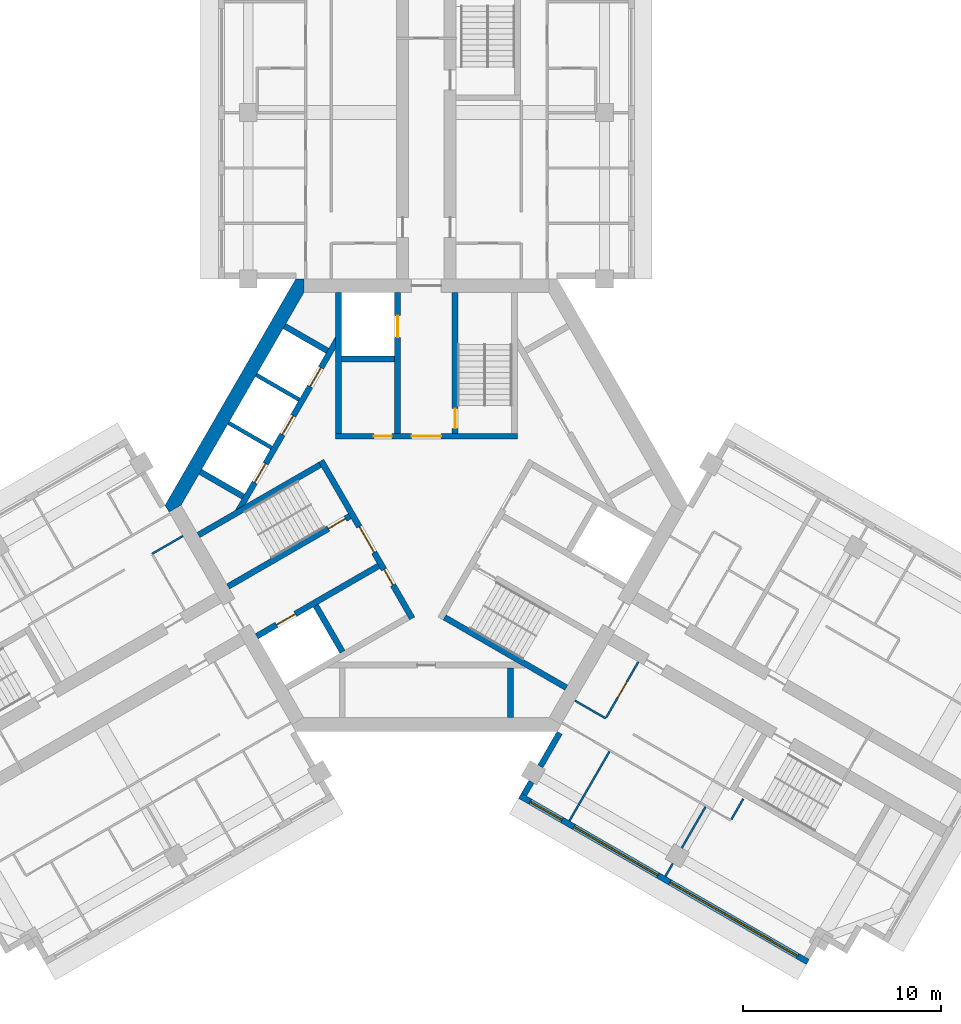
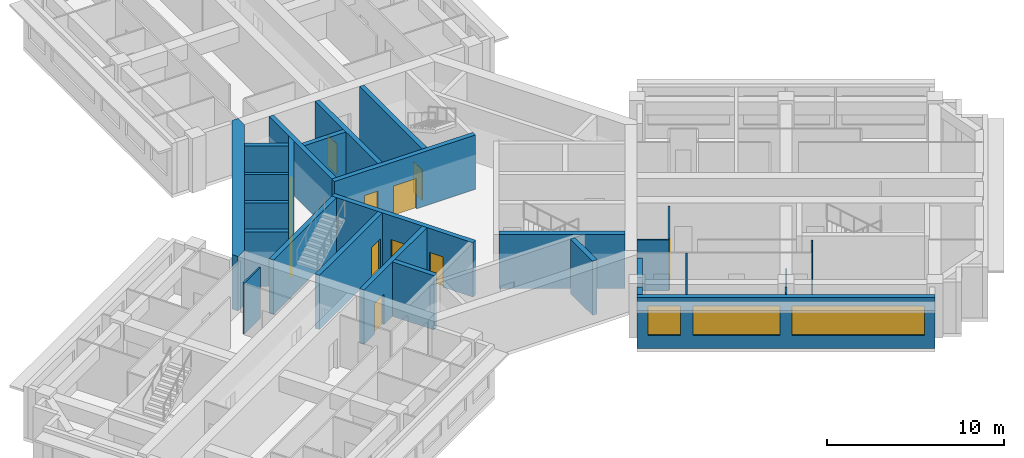
# One storey, part 4 of 10: 28 walls, 12 doors, 3 windows, 15 openings.
"""IFC4 building model written with IfcOpenShell, lengths in metres."""

from ifc_helpers import new_model, si_unit, direction, frame, frame_2d, origin, place, context, subcontext, project, spatial, polyline, rectangle, outline, extrude, material, layer, layer_set, type_object, element, fill, save


model = new_model("IFC4")

# Units and contexts
model_context = context("Model", 3, precision=1e-05, world=origin(), true_north=direction((0.0, 1.0)))
body_context = subcontext(model_context, "Body", "Model", "MODEL_VIEW")
ifc_project = project(units=[si_unit("LENGTHUNIT", "METRE"), si_unit("AREAUNIT", "SQUARE_METRE"), si_unit("VOLUMEUNIT", "CUBIC_METRE"), si_unit("PLANEANGLEUNIT", "RADIAN"), si_unit("MASSUNIT", "GRAM", prefix="KILO")], contexts=[model_context])

# Site, building, storey
site_placement = place(None, origin())
site = spatial("IfcSite", under=ifc_project, at=site_placement, CompositionType="ELEMENT")
building_placement = place(site_placement, origin())
building = spatial("IfcBuilding", under=site, at=building_placement, Name="Impinga Residences", CompositionType="ELEMENT")
storey_placement = place(building_placement, frame((0.0, 0.0, 263.5)))
storey = spatial("IfcBuildingStorey", under=building, at=storey_placement, Name="L66", CompositionType="ELEMENT", Elevation=263.5)

# Wall, openings, windows
ifc_material_1 = material(Name="Terracotta rainscreen on blockwork", Category="masonry")
ifc_layer_1 = layer(ifc_material_1, 0.300048828125)
ifc_layer_set_1 = layer_set([ifc_layer_1], Name="EW1 external wall, terracotta rainscreen on blockwork 300")
wall_type_1 = type_object("IfcWallType", Name="EW1 external wall, terracotta rainscreen on blockwork 300", PredefinedType="SOLIDWALL", material=ifc_layer_set_1)
wall_1_placement = place(storey_placement, frame((19.274169921875, -23.0791015625, 0.0), z_axis=(0.0, 0.0, 1.0), x_axis=(-0.86602562146, 0.499999622975, 0.0)))
wall_1 = element("IfcWall", 1, at=wall_1_placement, inside=storey, type_object=wall_type_1, Name="External wall EW1 L66", PredefinedType="SOLIDWALL", context=body_context, shape_type="SweptSolid", body=[
    extrude(rectangle(XDim=16.7998046875, YDim=0.300048828125, at=frame_2d((8.39990234375, 0.0))), origin(), (0.0, 0.0, 1.0), 3.530029296875),
])
opening_1_placement = place(wall_1_placement, frame((0.60009765625, 0.0, 0.89990234375)))
opening_1 = element("IfcOpeningElement", 2, at=opening_1_placement, cuts=wall_1, Name="Opening W7", PredefinedType="OPENING", context=body_context, shape_type="SweptSolid", body=[
    extrude(rectangle(XDim=7.449951171875, YDim=2.050048828125, at=frame_2d((3.72509765625, 1.02490234375))), frame((0.0, 0.159912109375, 0.0), z_axis=(0.0, -1.0, 0.0), x_axis=(1.0, 0.0, 0.0)), (0.0, 0.0, 1.0), 0.320068359375),
])
opening_2_placement = place(wall_1_placement, frame((8.75, 0.0, 0.89990234375)))
opening_2 = element("IfcOpeningElement", 3, at=opening_2_placement, cuts=wall_1, Name="Opening W16", PredefinedType="OPENING", context=body_context, shape_type="SweptSolid", body=[
    extrude(rectangle(XDim=4.89990234375, YDim=2.050048828125, at=frame_2d((2.449951171875, 1.02490234375))), frame((0.0, 0.159912109375, 0.0), z_axis=(0.0, -1.0, 0.0), x_axis=(1.0, 0.0, 0.0)), (0.0, 0.0, 1.0), 0.320068359375),
])
opening_3_placement = place(wall_1_placement, frame((14.35009765625, 0.0, 0.89990234375)))
opening_3 = element("IfcOpeningElement", 4, at=opening_3_placement, cuts=wall_1, Name="Opening W15", PredefinedType="OPENING", context=body_context, shape_type="SweptSolid", body=[
    extrude(rectangle(XDim=1.85009765625, YDim=2.050048828125, at=frame_2d((0.925048828125, 1.02490234375))), frame((0.0, 0.159912109375, 0.0), z_axis=(0.0, -1.0, 0.0), x_axis=(1.0, 0.0, 0.0)), (0.0, 0.0, 1.0), 0.320068359375),
])
ifc_material_2 = material(Name="Aluminium window, clear double glazing", Category="aluminium")
window_type_1 = type_object("IfcWindowType", Name="W15 ribbon window 1850x2050", PartitioningType="SINGLE_PANEL", PredefinedType="WINDOW", material=ifc_material_2)
window_1_placement = place(opening_3_placement, origin())
window_1 = element("IfcWindow", 5, at=window_1_placement, inside=storey, type_object=window_type_1, Name="Window L66", OverallHeight=2.050048828125, OverallWidth=1.85009765625, PartitioningType="SINGLE_PANEL", PredefinedType="WINDOW", context=body_context, shape_type="SweptSolid", body=[
    extrude(rectangle(XDim=1.85009765625, YDim=2.050048828125, at=frame_2d((0.925048828125, 1.02490234375))), frame((0.0, 0.030029296875, 0.0), z_axis=(0.0, -1.0, 0.0), x_axis=(1.0, 0.0, 0.0)), (0.0, 0.0, 1.0), 0.06005859375),
])
fill(opening_3, window_1)
window_type_2 = type_object("IfcWindowType", Name="W16 ribbon window 4900x2050", PartitioningType="SINGLE_PANEL", PredefinedType="WINDOW", material=ifc_material_2)
window_2_placement = place(opening_2_placement, origin())
window_2 = element("IfcWindow", 6, at=window_2_placement, inside=storey, type_object=window_type_2, Name="Window L66", OverallHeight=2.050048828125, OverallWidth=4.89990234375, PartitioningType="SINGLE_PANEL", PredefinedType="WINDOW", context=body_context, shape_type="SweptSolid", body=[
    extrude(rectangle(XDim=4.89990234375, YDim=2.050048828125, at=frame_2d((2.449951171875, 1.02490234375))), frame((0.0, 0.030029296875, 0.0), z_axis=(0.0, -1.0, 0.0), x_axis=(1.0, 0.0, 0.0)), (0.0, 0.0, 1.0), 0.06005859375),
])
fill(opening_2, window_2)
window_type_3 = type_object("IfcWindowType", Name="W7 ribbon window 7450x2050", PartitioningType="SINGLE_PANEL", PredefinedType="WINDOW", material=ifc_material_2)
window_3_placement = place(opening_1_placement, origin())
window_3 = element("IfcWindow", 7, at=window_3_placement, inside=storey, type_object=window_type_3, Name="Window L66", OverallHeight=2.050048828125, OverallWidth=7.449951171875, PartitioningType="SINGLE_PANEL", PredefinedType="WINDOW", context=body_context, shape_type="SweptSolid", body=[
    extrude(rectangle(XDim=7.449951171875, YDim=2.050048828125, at=frame_2d((3.72509765625, 1.02490234375))), frame((0.0, 0.030029296875, 0.0), z_axis=(0.0, -1.0, 0.0), x_axis=(1.0, 0.0, 0.0)), (0.0, 0.0, 1.0), 0.06005859375),
])
fill(opening_1, window_3)

# Walls
wall_2_placement = place(storey_placement, frame((4.929931640625, -14.624267578125, 0.0), z_axis=(0.0, 0.0, 1.0), x_axis=(0.499919672301, 0.866071776036, 0.0)))
element("IfcWall", 8, at=wall_2_placement, inside=storey, type_object=wall_type_1, Name="External wall EW1 L66", PredefinedType="SOLIDWALL", context=body_context, shape_type="SweptSolid", body=[
    extrude(rectangle(XDim=0.75, YDim=0.300048828125, at=frame_2d((0.375, 0.0))), origin(), (0.0, 0.0, 1.0), 3.530029296875),
])
wall_3_placement = place(storey_placement, frame((5.7548828125, -13.1953125, 0.0), z_axis=(0.0, 0.0, 1.0), x_axis=(0.500043961785, 0.866000020948, 0.0)))
element("IfcWall", 9, at=wall_3_placement, inside=storey, type_object=wall_type_1, Name="External wall EW1 L66", PredefinedType="SOLIDWALL", context=body_context, shape_type="SweptSolid", body=[
    extrude(rectangle(XDim=1.949951171875, YDim=0.300048828125, at=frame_2d((0.97509765625, 0.0))), origin(), (0.0, 0.0, 1.0), 3.530029296875),
])
ifc_material_3 = material(Name="Gypsum board on steel studs", Category="steel")
ifc_layer_2 = layer(ifc_material_3, 0.10009765625)
ifc_layer_set_2 = layer_set([ifc_layer_2], Name="Gypsum board on steel studs")
wall_type_2 = type_object("IfcWallType", Name="IP1 partition 100", PredefinedType="PARTITIONING", material=ifc_layer_set_2)
for number, where, z_axis, x_axis, name in (
    (10, (-12.300048828125, -1.558837890625, 0.0), (0.0, 0.0, 1.0), (-0.866047807691, -0.499961193289, 0.0), "Partition L66-WF1:DIV0"),
    (11, (7.5, -9.872802734375, 0.0), (0.0, 0.0, 1.0), (0.866047807691, -0.499961193289, 0.0), "Partition L66-EF1:DIV0"),
):
    element("IfcWall", number, at=place(storey_placement, frame(where, z_axis=z_axis, x_axis=x_axis)), inside=storey, type_object=wall_type_2, Name=name, PredefinedType="PARTITIONING", context=body_context, shape_type="SweptSolid", body=[
        extrude(rectangle(XDim=1.800048828125, YDim=0.10009765625, at=frame_2d((0.89990234375, 0.0))), origin(), (0.0, 0.0, 1.0), 3.530029296875),
    ])
wall_4_placement = place(storey_placement, frame((16.00537109375, -14.841064453125, 0.0), z_axis=(0.0, 0.0, 1.0), x_axis=(-0.50012165622, -0.865955154139, 0.0)))
element("IfcWall", 12, at=wall_4_placement, inside=storey, type_object=wall_type_2, Name="Partition L66-EF1:SE1", PredefinedType="PARTITIONING", context=body_context, shape_type="SweptSolid", body=[
    extrude(rectangle(XDim=1.199951171875, YDim=0.10009765625, at=frame_2d((0.60009765625, 0.0))), origin(), (0.0, 0.0, 1.0), 3.530029296875),
])

# Wall, opening, door
wall_5_placement = place(storey_placement, frame((10.708740234375, -7.914794921875, 0.0), z_axis=(0.0, 0.0, 1.0), x_axis=(-0.499984717929, -0.866034226713, 0.0)))
wall_5 = element("IfcWall", 13, at=wall_5_placement, inside=storey, type_object=wall_type_2, Name="Partition L66-EF1:IB1", PredefinedType="PARTITIONING", context=body_context, shape_type="SweptSolid", body=[
    extrude(rectangle(XDim=3.25, YDim=0.10009765625, at=frame_2d((1.625, 0.0))), origin(), (0.0, 0.0, 1.0), 3.530029296875),
])
opening_4_placement = place(wall_5_placement, frame((1.175048828125, 0.0, 0.0)))
opening_4 = element("IfcOpeningElement", 14, at=opening_4_placement, cuts=wall_5, Name="Opening D2", PredefinedType="OPENING", context=body_context, shape_type="SweptSolid", body=[
    extrude(rectangle(XDim=0.89990234375, YDim=2.10009765625, at=frame_2d((0.449951171875, 1.050048828125))), frame((0.0, 0.06005859375, 0.0), z_axis=(0.0, -1.0, 0.0), x_axis=(1.0, 0.0, 0.0)), (0.0, 0.0, 1.0), 0.1201171875),
])
ifc_material_4 = material(Name="Timber door set", Category="wood")
door_type_1 = type_object("IfcDoorType", Name="D2 internal door 900x2100", OperationType="SINGLE_SWING_LEFT", PredefinedType="DOOR", material=ifc_material_4)
door_1_placement = place(opening_4_placement, origin())
door_1 = element("IfcDoor", 15, at=door_1_placement, inside=storey, type_object=door_type_1, Name="Apartment L66-EF1 bathroom door", OperationType="SINGLE_SWING_LEFT", OverallHeight=2.10009765625, OverallWidth=0.89990234375, PredefinedType="DOOR", context=body_context, shape_type="SweptSolid", body=[
    extrude(rectangle(XDim=0.89990234375, YDim=2.10009765625, at=frame_2d((0.449951171875, 1.050048828125))), frame((0.0, 0.02490234375, 0.0), z_axis=(0.0, -1.0, 0.0), x_axis=(1.0, 0.0, 0.0)), (0.0, 0.0, 1.0), 0.050048828125),
])
fill(opening_4, door_1)

# Walls
wall_6_placement = place(storey_placement, frame((9.249755859375, -12.44189453125, 0.0), z_axis=(0.0, 0.0, 1.0), x_axis=(-0.499990325971, -0.866030989016, 0.0)))
element("IfcWall", 16, at=wall_6_placement, inside=storey, type_object=wall_type_2, Name="Partition L66-EF1:OB1", PredefinedType="PARTITIONING", context=body_context, shape_type="SweptSolid", body=[
    extrude(rectangle(XDim=4.0498046875, YDim=0.10009765625, at=frame_2d((2.02490234375, 0.0))), origin(), (0.0, 0.0, 1.0), 3.530029296875),
])
wall_7_placement = place(storey_placement, frame((14.099609375, -15.241943359375, 0.0), z_axis=(0.0, 0.0, 1.0), x_axis=(-0.500001309137, -0.866024647952, 0.0)))
element("IfcWall", 17, at=wall_7_placement, inside=storey, type_object=wall_type_2, Name="Partition L66-EF1:OB2", PredefinedType="PARTITIONING", context=body_context, shape_type="SweptSolid", body=[
    extrude(rectangle(XDim=2.39990234375, YDim=0.10009765625, at=frame_2d((1.199951171875, 0.0))), origin(), (0.0, 0.0, 1.0), 2.47998046875),
])
wall_8_placement = place(storey_placement, frame((12.44970703125, -18.099609375, 0.0), z_axis=(0.0, 0.0, 1.0), x_axis=(-0.499919672301, -0.866071776036, 0.0)))
element("IfcWall", 18, at=wall_8_placement, inside=storey, type_object=wall_type_2, Name="Partition L66-EF1:OB2b", PredefinedType="PARTITIONING", context=body_context, shape_type="SweptSolid", body=[
    extrude(rectangle(XDim=0.75, YDim=0.10009765625, at=frame_2d((0.375, 0.0))), origin(), (0.0, 0.0, 1.0), 3.530029296875),
])
ifc_material_5 = material(Name="Concrete C60/75", Category="concrete")
ifc_layer_3 = layer(ifc_material_5, 0.699951171875)
ifc_layer_set_3 = layer_set([ifc_layer_3], Name="Concrete C60/75")
wall_type_3 = type_object("IfcWallType", Name="SW3 core wall 700", PredefinedType="SHEAR", material=ifc_layer_set_3)
wall_9_placement = place(storey_placement, origin())
element("IfcWall", 19, at=wall_9_placement, inside=storey, type_object=wall_type_3, Name="Core wall SW3 E:EXPOSED L66", PredefinedType="SHEAR", context=body_context, shape_type="SweptSolid", body=[
    extrude(outline(polyline([(-6.60009765625, 11.431640625), (-13.199951171875, 0.0), (-12.998046875, -0.35009765625), (-12.3916015625, 0.0), (-6.19580078125, 10.7314453125), (-6.19580078125, 11.431640625), (-6.60009765625, 11.431640625)])), origin(), (0.0, 0.0, 1.0), 3.75),
])

# Wall, openings, doors
ifc_material_6 = material(Name="Concrete C70/85", Category="concrete")
ifc_layer_4 = layer(ifc_material_6, 0.300048828125)
ifc_layer_set_4 = layer_set([ifc_layer_4], Name="Concrete C70/85")
wall_type_4 = type_object("IfcWallType", Name="SW5 core inner wall, stairs, shafts and lobbies 300", PredefinedType="SHEAR", material=ifc_layer_set_4)
wall_10_placement = place(storey_placement, frame((-4.60009765625, 3.47998046875, 0.0), z_axis=(0.0, 0.0, 1.0), x_axis=(1.0, 0.0, 0.0)))
wall_10 = element("IfcWall", 20, at=wall_10_placement, inside=storey, type_object=wall_type_4, Name="Core wall SW5 N:ZONE L66", PredefinedType="SHEAR", context=body_context, shape_type="SweptSolid", body=[
    extrude(rectangle(XDim=9.2001953125, YDim=0.300048828125, at=frame_2d((4.60009765625, 0.0))), origin(), (0.0, 0.0, 1.0), 3.75),
])
opening_5_placement = place(wall_10_placement, frame((3.85009765625, 0.0, 0.0)))
opening_5 = element("IfcOpeningElement", 21, at=opening_5_placement, cuts=wall_10, Name="Opening D4", PredefinedType="OPENING", context=body_context, shape_type="SweptSolid", body=[
    extrude(rectangle(XDim=1.5, YDim=2.10009765625, at=frame_2d((0.75, 1.050048828125))), frame((0.0, 0.159912109375, 0.0), z_axis=(0.0, -1.0, 0.0), x_axis=(1.0, 0.0, 0.0)), (0.0, 0.0, 1.0), 0.320068359375),
])
opening_6_placement = place(wall_10_placement, frame((1.949951171875, 0.0, 0.0)))
opening_6 = element("IfcOpeningElement", 22, at=opening_6_placement, cuts=wall_10, Name="Opening D6", PredefinedType="OPENING", context=body_context, shape_type="SweptSolid", body=[
    extrude(rectangle(XDim=0.89990234375, YDim=2.10009765625, at=frame_2d((0.449951171875, 1.050048828125))), frame((0.0, 0.159912109375, 0.0), z_axis=(0.0, -1.0, 0.0), x_axis=(1.0, 0.0, 0.0)), (0.0, 0.0, 1.0), 0.320068359375),
])
door_type_2 = type_object("IfcDoorType", Name="D4 lobby door pair 1500x2100", OperationType="DOUBLE_DOOR_DOUBLE_SWING", PredefinedType="DOOR", material=ifc_material_4)
door_2_placement = place(opening_5_placement, origin())
door_2 = element("IfcDoor", 23, at=door_2_placement, inside=storey, type_object=door_type_2, Name="Firefighting lobby door N", OperationType="DOUBLE_DOOR_DOUBLE_SWING", OverallHeight=2.10009765625, OverallWidth=1.5, PredefinedType="DOOR", context=body_context, shape_type="SweptSolid", body=[
    extrude(rectangle(XDim=1.5, YDim=2.10009765625, at=frame_2d((0.75, 1.050048828125))), frame((0.0, 0.02490234375, 0.0), z_axis=(0.0, -1.0, 0.0), x_axis=(1.0, 0.0, 0.0)), (0.0, 0.0, 1.0), 0.050048828125),
])
fill(opening_5, door_2)
door_type_3 = type_object("IfcDoorType", Name="D6 riser and store door 900x2100", OperationType="SINGLE_SWING_LEFT", PredefinedType="DOOR", material=ifc_material_4)
door_3_placement = place(opening_6_placement, origin())
door_3 = element("IfcDoor", 24, at=door_3_placement, inside=storey, type_object=door_type_3, Name="Riser door N", OperationType="SINGLE_SWING_LEFT", OverallHeight=2.10009765625, OverallWidth=0.89990234375, PredefinedType="DOOR", context=body_context, shape_type="SweptSolid", body=[
    extrude(rectangle(XDim=0.89990234375, YDim=2.10009765625, at=frame_2d((0.449951171875, 1.050048828125))), frame((0.0, 0.02490234375, 0.0), z_axis=(0.0, -1.0, 0.0), x_axis=(1.0, 0.0, 0.0)), (0.0, 0.0, 1.0), 0.050048828125),
])
fill(opening_6, door_3)

# Wall, opening, door
wall_11_placement = place(storey_placement, frame((1.449951171875, 3.6298828125, 0.0), z_axis=(0.0, 0.0, 1.0), x_axis=(0.0, 1.0, 0.0)))
wall_11 = element("IfcWall", 25, at=wall_11_placement, inside=storey, type_object=wall_type_4, Name="Core wall SW5 N:ST-IN L66", PredefinedType="SHEAR", context=body_context, shape_type="SweptSolid", body=[
    extrude(rectangle(XDim=7.1015625, YDim=0.300048828125, at=frame_2d((3.55078125, 0.0))), origin(), (0.0, 0.0, 1.0), 3.75),
])
opening_7_placement = place(wall_11_placement, frame((0.25, 0.0, 0.0)))
opening_7 = element("IfcOpeningElement", 26, at=opening_7_placement, cuts=wall_11, Name="Opening D5", PredefinedType="OPENING", context=body_context, shape_type="SweptSolid", body=[
    extrude(rectangle(XDim=1.0, YDim=2.10009765625, at=frame_2d((0.5, 1.050048828125))), frame((0.0, 0.159912109375, 0.0), z_axis=(0.0, -1.0, 0.0), x_axis=(1.0, 0.0, 0.0)), (0.0, 0.0, 1.0), 0.320068359375),
])
door_type_4 = type_object("IfcDoorType", Name="D5 stair door 1000x2100", OperationType="SINGLE_SWING_LEFT", PredefinedType="DOOR", material=ifc_material_4)
door_4_placement = place(opening_7_placement, origin())
door_4 = element("IfcDoor", 27, at=door_4_placement, inside=storey, type_object=door_type_4, Name="Stair door N", OperationType="SINGLE_SWING_LEFT", OverallHeight=2.10009765625, OverallWidth=1.0, PredefinedType="DOOR", context=body_context, shape_type="SweptSolid", body=[
    extrude(rectangle(XDim=1.0, YDim=2.10009765625, at=frame_2d((0.5, 1.050048828125))), frame((0.0, 0.02490234375, 0.0), z_axis=(0.0, -1.0, 0.0), x_axis=(1.0, 0.0, 0.0)), (0.0, 0.0, 1.0), 0.050048828125),
])
fill(opening_7, door_4)

wall_12_placement = place(storey_placement, frame((-1.449951171875, 3.6298828125, 0.0), z_axis=(0.0, 0.0, 1.0), x_axis=(0.0, 1.0, 0.0)))
wall_12 = element("IfcWall", 28, at=wall_12_placement, inside=storey, type_object=wall_type_4, Name="Core wall SW5 N:FF-IN L66", PredefinedType="SHEAR", context=body_context, shape_type="SweptSolid", body=[
    extrude(rectangle(XDim=7.1015625, YDim=0.300048828125, at=frame_2d((3.55078125, 0.0))), origin(), (0.0, 0.0, 1.0), 3.75),
])
opening_8_placement = place(wall_12_placement, frame((4.85009765625, 0.0, 0.0)))
opening_8 = element("IfcOpeningElement", 29, at=opening_8_placement, cuts=wall_12, Name="Opening LD2", PredefinedType="OPENING", context=body_context, shape_type="SweptSolid", body=[
    extrude(rectangle(XDim=1.10009765625, YDim=2.10009765625, at=frame_2d((0.550048828125, 1.050048828125))), frame((0.0, 0.159912109375, 0.0), z_axis=(0.0, -1.0, 0.0), x_axis=(1.0, 0.0, 0.0)), (0.0, 0.0, 1.0), 0.320068359375),
])
ifc_material_7 = material(Name="Steel lift landing door", Category="steel")
door_type_5 = type_object("IfcDoorType", Name="LD2 firefighting lift landing door 1100x2100", OperationType="DOUBLE_DOOR_SLIDING", PredefinedType="DOOR", material=ifc_material_7)
door_5_placement = place(opening_8_placement, origin())
door_5 = element("IfcDoor", 30, at=door_5_placement, inside=storey, type_object=door_type_5, Name="Firefighting lift landing door F1", OperationType="DOUBLE_DOOR_SLIDING", OverallHeight=2.10009765625, OverallWidth=1.10009765625, PredefinedType="DOOR", context=body_context, shape_type="SweptSolid", body=[
    extrude(rectangle(XDim=1.10009765625, YDim=2.10009765625, at=frame_2d((0.550048828125, 1.050048828125))), frame((0.0, 0.02490234375, 0.0), z_axis=(0.0, -1.0, 0.0), x_axis=(1.0, 0.0, 0.0)), (0.0, 0.0, 1.0), 0.050048828125),
])
fill(opening_8, door_5)

# Walls
wall_13_placement = place(storey_placement, frame((-4.449951171875, 3.6298828125, 0.0), z_axis=(0.0, 0.0, 1.0), x_axis=(0.0, 1.0, 0.0)))
element("IfcWall", 31, at=wall_13_placement, inside=storey, type_object=wall_type_4, Name="Core wall SW5 N:FF-OUT L66", PredefinedType="SHEAR", context=body_context, shape_type="SweptSolid", body=[
    extrude(rectangle(XDim=7.1015625, YDim=0.300048828125, at=frame_2d((3.55078125, 0.0))), origin(), (0.0, 0.0, 1.0), 3.75),
])
wall_14_placement = place(storey_placement, frame((-4.300048828125, 7.3798828125, 0.0), z_axis=(0.0, 0.0, 1.0), x_axis=(1.0, 0.0, 0.0)))
element("IfcWall", 32, at=wall_14_placement, inside=storey, type_object=wall_type_4, Name="Core wall SW5 N:FF-RS L66", PredefinedType="SHEAR", context=body_context, shape_type="SweptSolid", body=[
    extrude(rectangle(XDim=2.699951171875, YDim=0.300048828125, at=frame_2d((1.35009765625, 0.0))), origin(), (0.0, 0.0, 1.0), 3.75),
])

# Wall, openings, doors
wall_15_placement = place(storey_placement, frame((-0.7138671875, -5.7236328125, 0.0), z_axis=(0.0, 0.0, 1.0), x_axis=(-0.499995050369, 0.866028261437, 0.0)))
wall_15 = element("IfcWall", 33, at=wall_15_placement, inside=storey, type_object=wall_type_4, Name="Core wall SW5 W:ZONE L66", PredefinedType="SHEAR", context=body_context, shape_type="SweptSolid", body=[
    extrude(rectangle(XDim=9.19970703125, YDim=0.300048828125, at=frame_2d((4.599853515625, 0.0))), origin(), (0.0, 0.0, 1.0), 3.75),
])
opening_9_placement = place(wall_15_placement, frame((3.85009765625, 0.0, 0.0)))
opening_9 = element("IfcOpeningElement", 34, at=opening_9_placement, cuts=wall_15, Name="Opening D4", PredefinedType="OPENING", context=body_context, shape_type="SweptSolid", body=[
    extrude(rectangle(XDim=1.5, YDim=2.10009765625, at=frame_2d((0.75, 1.050048828125))), frame((0.0, 0.159912109375, 0.0), z_axis=(0.0, -1.0, 0.0), x_axis=(1.0, 0.0, 0.0)), (0.0, 0.0, 1.0), 0.320068359375),
])
opening_10_placement = place(wall_15_placement, frame((1.949951171875, 0.0, 0.0)))
opening_10 = element("IfcOpeningElement", 35, at=opening_10_placement, cuts=wall_15, Name="Opening D6", PredefinedType="OPENING", context=body_context, shape_type="SweptSolid", body=[
    extrude(rectangle(XDim=0.89990234375, YDim=2.10009765625, at=frame_2d((0.449951171875, 1.050048828125))), frame((0.0, 0.159912109375, 0.0), z_axis=(0.0, -1.0, 0.0), x_axis=(1.0, 0.0, 0.0)), (0.0, 0.0, 1.0), 0.320068359375),
])
door_6_placement = place(opening_9_placement, origin())
door_6 = element("IfcDoor", 36, at=door_6_placement, inside=storey, type_object=door_type_2, Name="Firefighting lobby door W", OperationType="DOUBLE_DOOR_DOUBLE_SWING", OverallHeight=2.10009765625, OverallWidth=1.5, PredefinedType="DOOR", context=body_context, shape_type="SweptSolid", body=[
    extrude(rectangle(XDim=1.5, YDim=2.10009765625, at=frame_2d((0.75, 1.050048828125))), frame((0.0, 0.02490234375, 0.0), z_axis=(0.0, -1.0, 0.0), x_axis=(1.0, 0.0, 0.0)), (0.0, 0.0, 1.0), 0.050048828125),
])
fill(opening_9, door_6)
door_7_placement = place(opening_10_placement, origin())
door_7 = element("IfcDoor", 37, at=door_7_placement, inside=storey, type_object=door_type_3, Name="Riser door W", OperationType="SINGLE_SWING_LEFT", OverallHeight=2.10009765625, OverallWidth=0.89990234375, PredefinedType="DOOR", context=body_context, shape_type="SweptSolid", body=[
    extrude(rectangle(XDim=0.89990234375, YDim=2.10009765625, at=frame_2d((0.449951171875, 1.050048828125))), frame((0.0, 0.02490234375, 0.0), z_axis=(0.0, -1.0, 0.0), x_axis=(1.0, 0.0, 0.0)), (0.0, 0.0, 1.0), 0.050048828125),
])
fill(opening_10, door_7)

# Wall, opening, door
wall_16_placement = place(storey_placement, frame((-3.86865234375, -0.559326171875, 0.0), z_axis=(0.0, 0.0, 1.0), x_axis=(-0.866025859768, -0.499999210213, 0.0)))
wall_16 = element("IfcWall", 38, at=wall_16_placement, inside=storey, type_object=wall_type_4, Name="Core wall SW5 W:ST-IN L66", PredefinedType="SHEAR", context=body_context, shape_type="SweptSolid", body=[
    extrude(rectangle(XDim=7.1015625, YDim=0.300048828125, at=frame_2d((3.55078125, 0.0))), origin(), (0.0, 0.0, 1.0), 3.75),
])
opening_11_placement = place(wall_16_placement, frame((0.25, 0.0, 0.0)))
opening_11 = element("IfcOpeningElement", 39, at=opening_11_placement, cuts=wall_16, Name="Opening D5", PredefinedType="OPENING", context=body_context, shape_type="SweptSolid", body=[
    extrude(rectangle(XDim=1.0, YDim=2.10009765625, at=frame_2d((0.5, 1.050048828125))), frame((0.0, 0.159912109375, 0.0), z_axis=(0.0, -1.0, 0.0), x_axis=(1.0, 0.0, 0.0)), (0.0, 0.0, 1.0), 0.320068359375),
])
door_8_placement = place(opening_11_placement, origin())
door_8 = element("IfcDoor", 40, at=door_8_placement, inside=storey, type_object=door_type_4, Name="Stair door W", OperationType="SINGLE_SWING_LEFT", OverallHeight=2.10009765625, OverallWidth=1.0, PredefinedType="DOOR", context=body_context, shape_type="SweptSolid", body=[
    extrude(rectangle(XDim=1.0, YDim=2.10009765625, at=frame_2d((0.5, 1.050048828125))), frame((0.0, 0.02490234375, 0.0), z_axis=(0.0, -1.0, 0.0), x_axis=(1.0, 0.0, 0.0)), (0.0, 0.0, 1.0), 0.050048828125),
])
fill(opening_11, door_8)

# Wall
wall_17_placement = place(storey_placement, frame((-5.36865234375, 2.038818359375, 0.0), z_axis=(0.0, 0.0, 1.0), x_axis=(-0.866025859768, -0.499999210213, 0.0)))
element("IfcWall", 41, at=wall_17_placement, inside=storey, type_object=wall_type_4, Name="Core wall SW5 W:ST-OUT L66", PredefinedType="SHEAR", context=body_context, shape_type="SweptSolid", body=[
    extrude(rectangle(XDim=7.1015625, YDim=0.300048828125, at=frame_2d((3.55078125, 0.0))), origin(), (0.0, 0.0, 1.0), 3.75),
])

# Wall, opening, door
wall_18_placement = place(storey_placement, frame((-2.418701171875, -3.07080078125, 0.0), z_axis=(0.0, 0.0, 1.0), x_axis=(-0.866025859768, -0.499999210213, 0.0)))
wall_18 = element("IfcWall", 42, at=wall_18_placement, inside=storey, type_object=wall_type_4, Name="Core wall SW5 W:FF-IN L66", PredefinedType="SHEAR", context=body_context, shape_type="SweptSolid", body=[
    extrude(rectangle(XDim=7.1015625, YDim=0.300048828125, at=frame_2d((3.55078125, 0.0))), origin(), (0.0, 0.0, 1.0), 3.75),
])
opening_12_placement = place(wall_18_placement, frame((4.85009765625, 0.0, 0.0)))
opening_12 = element("IfcOpeningElement", 43, at=opening_12_placement, cuts=wall_18, Name="Opening LD2", PredefinedType="OPENING", context=body_context, shape_type="SweptSolid", body=[
    extrude(rectangle(XDim=1.10009765625, YDim=2.10009765625, at=frame_2d((0.550048828125, 1.050048828125))), frame((0.0, 0.159912109375, 0.0), z_axis=(0.0, -1.0, 0.0), x_axis=(1.0, 0.0, 0.0)), (0.0, 0.0, 1.0), 0.320068359375),
])
door_9_placement = place(opening_12_placement, origin())
door_9 = element("IfcDoor", 44, at=door_9_placement, inside=storey, type_object=door_type_5, Name="Firefighting lift landing door F2", OperationType="DOUBLE_DOOR_SLIDING", OverallHeight=2.10009765625, OverallWidth=1.10009765625, PredefinedType="DOOR", context=body_context, shape_type="SweptSolid", body=[
    extrude(rectangle(XDim=1.10009765625, YDim=2.10009765625, at=frame_2d((0.550048828125, 1.050048828125))), frame((0.0, 0.02490234375, 0.0), z_axis=(0.0, -1.0, 0.0), x_axis=(1.0, 0.0, 0.0)), (0.0, 0.0, 1.0), 0.050048828125),
])
fill(opening_12, door_9)

# Walls
wall_19_placement = place(storey_placement, frame((-4.2412109375, -7.413818359375, 0.0), z_axis=(0.0, 0.0, 1.0), x_axis=(-0.500048589285, 0.86599734893, 0.0)))
element("IfcWall", 45, at=wall_19_placement, inside=storey, type_object=wall_type_4, Name="Core wall SW5 W:FF-RS L66", PredefinedType="SHEAR", context=body_context, shape_type="SweptSolid", body=[
    extrude(rectangle(XDim=2.699951171875, YDim=0.300048828125, at=frame_2d((1.35009765625, 0.0))), origin(), (0.0, 0.0, 1.0), 3.75),
])
wall_20_placement = place(storey_placement, frame((0.918701171875, -5.668701171875, 0.0), z_axis=(0.0, 0.0, 1.0), x_axis=(0.866025859768, -0.499999210213, 0.0)))
element("IfcWall", 46, at=wall_20_placement, inside=storey, type_object=wall_type_4, Name="Core wall SW5 E:ST-OUT L66", PredefinedType="SHEAR", context=body_context, shape_type="SweptSolid", body=[
    extrude(rectangle(XDim=7.1015625, YDim=0.300048828125, at=frame_2d((3.55078125, 0.0))), origin(), (0.0, 0.0, 1.0), 3.75),
])
wall_21_placement = place(storey_placement, frame((4.25, -8.2314453125, 0.0), z_axis=(0.0, 0.0, 1.0), x_axis=(0.0, -1.0, 0.0)))
element("IfcWall", 47, at=wall_21_placement, inside=storey, type_object=wall_type_4, Name="Core wall SW5 N:BANK-L L66", PredefinedType="SHEAR", context=body_context, shape_type="SweptSolid", body=[
    extrude(rectangle(XDim=2.5, YDim=0.300048828125, at=frame_2d((1.25, 0.0))), origin(), (0.0, 0.0, 1.0), 3.75),
])

# Wall, openings, doors
wall_22_placement = place(storey_placement, frame((-9.547607421875, -0.3740234375, 0.0), z_axis=(0.0, 0.0, 1.0), x_axis=(0.500002290144, 0.866024081565, 0.0)))
wall_22 = element("IfcWall", 48, at=wall_22_placement, inside=storey, type_object=wall_type_4, Name="Core wall SW5 E:BANK-FRONT L66", PredefinedType="SHEAR", context=body_context, shape_type="SweptSolid", body=[
    extrude(rectangle(XDim=10.1953125, YDim=0.300048828125, at=frame_2d((5.09765625, 0.0))), origin(), (0.0, 0.0, 1.0), 3.75),
])
opening_13_placement = place(wall_22_placement, frame((1.74755859375, 0.0, 0.0)))
opening_13 = element("IfcOpeningElement", 49, at=opening_13_placement, cuts=wall_22, Name="Opening LD1", PredefinedType="OPENING", context=body_context, shape_type="SweptSolid", body=[
    extrude(rectangle(XDim=1.10009765625, YDim=2.10009765625, at=frame_2d((0.550048828125, 1.050048828125))), frame((0.0, 0.159912109375, 0.0), z_axis=(0.0, -1.0, 0.0), x_axis=(1.0, 0.0, 0.0)), (0.0, 0.0, 1.0), 0.320068359375),
])
opening_14_placement = place(wall_22_placement, frame((4.547607421875, 0.0, 0.0)))
opening_14 = element("IfcOpeningElement", 50, at=opening_14_placement, cuts=wall_22, Name="Opening LD1", PredefinedType="OPENING", context=body_context, shape_type="SweptSolid", body=[
    extrude(rectangle(XDim=1.10009765625, YDim=2.10009765625, at=frame_2d((0.550048828125, 1.050048828125))), frame((0.0, 0.159912109375, 0.0), z_axis=(0.0, -1.0, 0.0), x_axis=(1.0, 0.0, 0.0)), (0.0, 0.0, 1.0), 0.320068359375),
])
opening_15_placement = place(wall_22_placement, frame((7.34765625, 0.0, 0.0)))
opening_15 = element("IfcOpeningElement", 51, at=opening_15_placement, cuts=wall_22, Name="Opening LD1", PredefinedType="OPENING", context=body_context, shape_type="SweptSolid", body=[
    extrude(rectangle(XDim=1.10009765625, YDim=2.10009765625, at=frame_2d((0.550048828125, 1.050048828125))), frame((0.0, 0.159912109375, 0.0), z_axis=(0.0, -1.0, 0.0), x_axis=(1.0, 0.0, 0.0)), (0.0, 0.0, 1.0), 0.320068359375),
])
door_type_6 = type_object("IfcDoorType", Name="LD1 passenger lift landing door 1100x2100", OperationType="DOUBLE_DOOR_SLIDING", PredefinedType="DOOR", material=ifc_material_7)
door_10_placement = place(opening_13_placement, origin())
door_10 = element("IfcDoor", 52, at=door_10_placement, inside=storey, type_object=door_type_6, Name="Lift landing door P7", OperationType="DOUBLE_DOOR_SLIDING", OverallHeight=2.10009765625, OverallWidth=1.10009765625, PredefinedType="DOOR", context=body_context, shape_type="SweptSolid", body=[
    extrude(rectangle(XDim=1.10009765625, YDim=2.10009765625, at=frame_2d((0.550048828125, 1.050048828125))), frame((0.0, 0.02490234375, 0.0), z_axis=(0.0, -1.0, 0.0), x_axis=(1.0, 0.0, 0.0)), (0.0, 0.0, 1.0), 0.050048828125),
])
fill(opening_13, door_10)
door_11_placement = place(opening_14_placement, origin())
door_11 = element("IfcDoor", 53, at=door_11_placement, inside=storey, type_object=door_type_6, Name="Lift landing door P8", OperationType="DOUBLE_DOOR_SLIDING", OverallHeight=2.10009765625, OverallWidth=1.10009765625, PredefinedType="DOOR", context=body_context, shape_type="SweptSolid", body=[
    extrude(rectangle(XDim=1.10009765625, YDim=2.10009765625, at=frame_2d((0.550048828125, 1.050048828125))), frame((0.0, 0.02490234375, 0.0), z_axis=(0.0, -1.0, 0.0), x_axis=(1.0, 0.0, 0.0)), (0.0, 0.0, 1.0), 0.050048828125),
])
fill(opening_14, door_11)
door_12_placement = place(opening_15_placement, origin())
door_12 = element("IfcDoor", 54, at=door_12_placement, inside=storey, type_object=door_type_6, Name="Lift landing door P9", OperationType="DOUBLE_DOOR_SLIDING", OverallHeight=2.10009765625, OverallWidth=1.10009765625, PredefinedType="DOOR", context=body_context, shape_type="SweptSolid", body=[
    extrude(rectangle(XDim=1.10009765625, YDim=2.10009765625, at=frame_2d((0.550048828125, 1.050048828125))), frame((0.0, 0.02490234375, 0.0), z_axis=(0.0, -1.0, 0.0), x_axis=(1.0, 0.0, 0.0)), (0.0, 0.0, 1.0), 0.050048828125),
])
fill(opening_15, door_12)

# Walls
for number, where, z_axis, x_axis, name in (
    (55, (-9.253662109375, 0.43505859375, 0.0), (0.0, 0.0, 1.0), (-0.866022959057, 0.500004234368, 0.0), "Core wall SW5 E:BANK-L L66"),
    (56, (-5.003662109375, 7.79638671875, 0.0), (0.0, 0.0, 1.0), (-0.866022959057, 0.500004234368, 0.0), "Core wall SW5 E:BANK-R L66"),
):
    element("IfcWall", number, at=place(storey_placement, frame(where, z_axis=z_axis, x_axis=x_axis)), inside=storey, type_object=wall_type_4, Name=name, PredefinedType="SHEAR", context=body_context, shape_type="SweptSolid", body=[
        extrude(rectangle(XDim=2.5, YDim=0.300048828125, at=frame_2d((1.25, 0.0))), origin(), (0.0, 0.0, 1.0), 3.75),
    ])
ifc_layer_5 = layer(ifc_material_6, 0.199951171875)
ifc_layer_set_5 = layer_set([ifc_layer_5], Name="Concrete C70/85")
wall_type_5 = type_object("IfcWallType", Name="SW6 lift shaft divider wall 200", PredefinedType="SHEAR", material=ifc_layer_set_5)
wall_23_placement = place(storey_placement, frame((-7.82861328125, 2.9033203125, 0.0), z_axis=(0.0, 0.0, 1.0), x_axis=(-0.866047370643, 0.499961950354, 0.0)))
element("IfcWall", 57, at=wall_23_placement, inside=storey, type_object=wall_type_5, Name="Core wall SW6 E:BANK-D1 L66", PredefinedType="SHEAR", context=body_context, shape_type="SweptSolid", body=[
    extrude(rectangle(XDim=2.500244140625, YDim=0.199951171875, at=frame_2d((1.25, 0.0))), origin(), (0.0, 0.0, 1.0), 3.75),
])
wall_24_placement = place(storey_placement, frame((-6.4287109375, 5.328125, 0.0), z_axis=(0.0, 0.0, 1.0), x_axis=(-0.866022959057, 0.500004234368, 0.0)))
element("IfcWall", 58, at=wall_24_placement, inside=storey, type_object=wall_type_5, Name="Core wall SW6 E:BANK-D2 L66", PredefinedType="SHEAR", context=body_context, shape_type="SweptSolid", body=[
    extrude(rectangle(XDim=2.5, YDim=0.199951171875, at=frame_2d((1.25, 0.0))), origin(), (0.0, 0.0, 1.0), 3.75),
])

save(model, "model.ifc")
